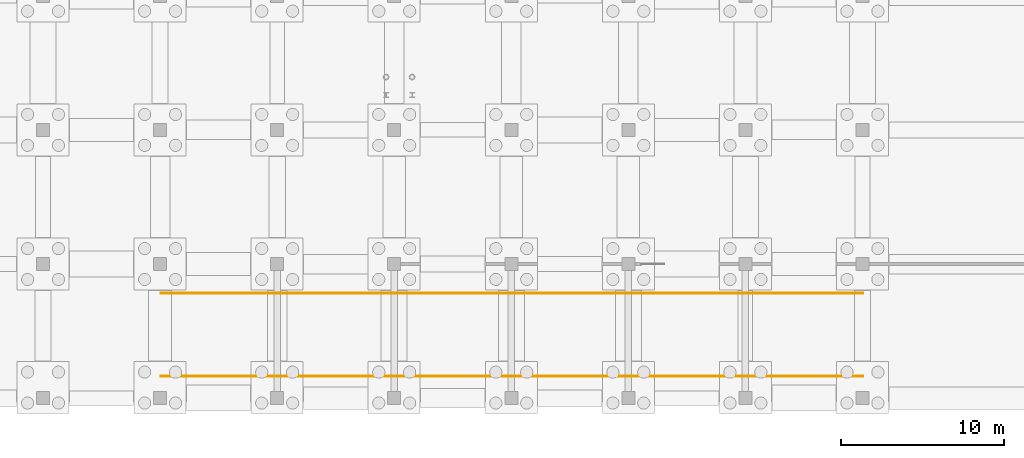
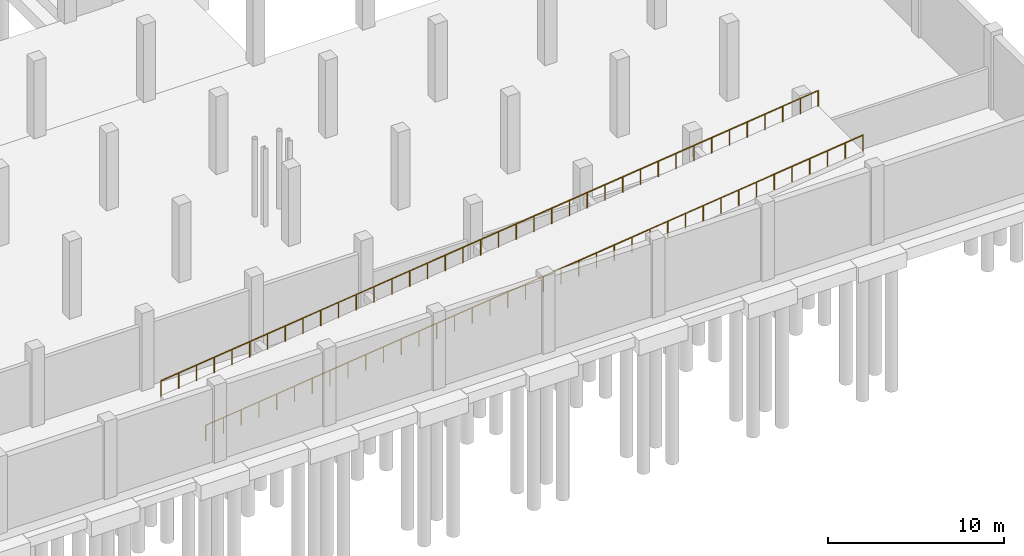
# One storey, part 40 of 42: 2 railings.
"""IFC4 building model written with IfcOpenShell, lengths in metres."""

from ifc_helpers import new_model, si_unit, direction, frame, origin, origin_2d, place, context, subcontext, project, spatial, circle, extrude, material, type_object, element, save


model = new_model("IFC4")

# Units and contexts
model_context = context("Model", 3, precision=1e-05, world=origin(), true_north=direction((0.0, 1.0)))
body_context = subcontext(model_context, "Body", "Model", "MODEL_VIEW")
ifc_project = project(units=[si_unit("LENGTHUNIT", "METRE"), si_unit("AREAUNIT", "SQUARE_METRE"), si_unit("VOLUMEUNIT", "CUBIC_METRE"), si_unit("PLANEANGLEUNIT", "RADIAN"), si_unit("MASSUNIT", "GRAM", prefix="KILO")], contexts=[model_context])

# Site, building, storey
site_placement = place(None, origin())
site = spatial("IfcSite", under=ifc_project, at=site_placement, CompositionType="ELEMENT")
building_placement = place(site_placement, origin())
building = spatial("IfcBuilding", under=site, at=building_placement, Name="Sundgate Opera House", CompositionType="ELEMENT")
storey_placement = place(building_placement, frame((0.0, 0.0, -5.39990234375)))
storey = spatial("IfcBuildingStorey", under=building, at=storey_placement, Name="B01", CompositionType="ELEMENT", Elevation=-5.39990234375)

# Railings
ifc_material = material(Name="Painted steel S275 guardrail", Category="steel")
railing_type = type_object("IfcRailingType", Name="RL-STAIR-GUARD-1100", PredefinedType="GUARDRAIL", material=ifc_material)
railing_1_placement = place(storey_placement, frame((124.25, 1.35009765625, 0.35986328125)))
element("IfcRailing", 1, at=railing_1_placement, inside=storey, type_object=railing_type, Name="B01 Interior Guardrail RL0286", PredefinedType="GUARDRAIL", context=body_context, shape_type="SweptSolid", body=[
    extrude(circle(Radius=0.02392578125, at=origin_2d()), frame((0.0, 0.0, 1.076171875), z_axis=(0.993259929033, 0.0, 0.115908210999), x_axis=(0.0, 1.0, 0.0)), (0.0, 0.0, 1.0), 43.48291015625),
    extrude(circle(Radius=0.02099609375, at=origin_2d()), origin(), (0.0, 0.0, 1.0), 1.052001953125),
    extrude(circle(Radius=0.02099609375, at=origin_2d()), frame((1.167236328125, 0.0, 0.13623046875)), (0.0, 0.0, 1.0), 1.052001953125),
    extrude(circle(Radius=0.02099609375, at=origin_2d()), frame((2.33447265625, 0.0, 0.2724609375)), (0.0, 0.0, 1.0), 1.052001953125),
    extrude(circle(Radius=0.02099609375, at=origin_2d()), frame((3.501953125, 0.0, 0.40869140625)), (0.0, 0.0, 1.0), 1.052001953125),
    extrude(circle(Radius=0.02099609375, at=origin_2d()), frame((4.669189453125, 0.0, 0.544921875)), (0.0, 0.0, 1.0), 1.052001953125),
    extrude(circle(Radius=0.02099609375, at=origin_2d()), frame((5.83642578125, 0.0, 0.68115234375)), (0.0, 0.0, 1.0), 1.052001953125),
    extrude(circle(Radius=0.02099609375, at=origin_2d()), frame((7.003662109375, 0.0, 0.8173828125)), (0.0, 0.0, 1.0), 1.052001953125),
    extrude(circle(Radius=0.02099609375, at=origin_2d()), frame((8.171142578125, 0.0, 0.95361328125)), (0.0, 0.0, 1.0), 1.052001953125),
    extrude(circle(Radius=0.02099609375, at=origin_2d()), frame((9.33837890625, 0.0, 1.08984375)), (0.0, 0.0, 1.0), 1.052001953125),
    extrude(circle(Radius=0.02099609375, at=origin_2d()), frame((10.505615234375, 0.0, 1.22607421875)), (0.0, 0.0, 1.0), 1.052001953125),
    extrude(circle(Radius=0.02099609375, at=origin_2d()), frame((11.6728515625, 0.0, 1.362060546875)), (0.0, 0.0, 1.0), 1.052001953125),
    extrude(circle(Radius=0.02099609375, at=origin_2d()), frame((12.84033203125, 0.0, 1.498291015625)), (0.0, 0.0, 1.0), 1.052001953125),
    extrude(circle(Radius=0.02099609375, at=origin_2d()), frame((14.007568359375, 0.0, 1.634521484375)), (0.0, 0.0, 1.0), 1.052001953125),
    extrude(circle(Radius=0.02099609375, at=origin_2d()), frame((15.1748046875, 0.0, 1.770751953125)), (0.0, 0.0, 1.0), 1.052001953125),
    extrude(circle(Radius=0.02099609375, at=origin_2d()), frame((16.342041015625, 0.0, 1.906982421875)), (0.0, 0.0, 1.0), 1.052001953125),
    extrude(circle(Radius=0.02099609375, at=origin_2d()), frame((17.509521484375, 0.0, 2.043212890625)), (0.0, 0.0, 1.0), 1.052001953125),
    extrude(circle(Radius=0.02099609375, at=origin_2d()), frame((18.6767578125, 0.0, 2.179443359375)), (0.0, 0.0, 1.0), 1.052001953125),
    extrude(circle(Radius=0.02099609375, at=origin_2d()), frame((19.843994140625, 0.0, 2.315673828125)), (0.0, 0.0, 1.0), 1.052001953125),
    extrude(circle(Radius=0.02099609375, at=origin_2d()), frame((21.01123046875, 0.0, 2.451904296875)), (0.0, 0.0, 1.0), 1.052001953125),
    extrude(circle(Radius=0.02099609375, at=origin_2d()), frame((22.1787109375, 0.0, 2.588134765625)), (0.0, 0.0, 1.0), 1.052001953125),
    extrude(circle(Radius=0.02099609375, at=origin_2d()), frame((23.345947265625, 0.0, 2.724365234375)), (0.0, 0.0, 1.0), 1.052001953125),
    extrude(circle(Radius=0.02099609375, at=origin_2d()), frame((24.51318359375, 0.0, 2.860595703125)), (0.0, 0.0, 1.0), 1.052001953125),
    extrude(circle(Radius=0.02099609375, at=origin_2d()), frame((25.680419921875, 0.0, 2.996826171875)), (0.0, 0.0, 1.0), 1.052001953125),
    extrude(circle(Radius=0.02099609375, at=origin_2d()), frame((26.847900390625, 0.0, 3.133056640625)), (0.0, 0.0, 1.0), 1.052001953125),
    extrude(circle(Radius=0.02099609375, at=origin_2d()), frame((28.01513671875, 0.0, 3.269287109375)), (0.0, 0.0, 1.0), 1.052001953125),
    extrude(circle(Radius=0.02099609375, at=origin_2d()), frame((29.182373046875, 0.0, 3.405517578125)), (0.0, 0.0, 1.0), 1.052001953125),
    extrude(circle(Radius=0.02099609375, at=origin_2d()), frame((30.349609375, 0.0, 3.541748046875)), (0.0, 0.0, 1.0), 1.052001953125),
    extrude(circle(Radius=0.02099609375, at=origin_2d()), frame((31.51708984375, 0.0, 3.677978515625)), (0.0, 0.0, 1.0), 1.052001953125),
    extrude(circle(Radius=0.02099609375, at=origin_2d()), frame((32.684326171875, 0.0, 3.81396484375)), (0.0, 0.0, 1.0), 1.052001953125),
    extrude(circle(Radius=0.02099609375, at=origin_2d()), frame((33.8515625, 0.0, 3.9501953125)), (0.0, 0.0, 1.0), 1.052001953125),
    extrude(circle(Radius=0.02099609375, at=origin_2d()), frame((35.018798828125, 0.0, 4.08642578125)), (0.0, 0.0, 1.0), 1.052001953125),
    extrude(circle(Radius=0.02099609375, at=origin_2d()), frame((36.186279296875, 0.0, 4.22265625)), (0.0, 0.0, 1.0), 1.052001953125),
    extrude(circle(Radius=0.02099609375, at=origin_2d()), frame((37.353515625, 0.0, 4.35888671875)), (0.0, 0.0, 1.0), 1.052001953125),
    extrude(circle(Radius=0.02099609375, at=origin_2d()), frame((38.520751953125, 0.0, 4.4951171875)), (0.0, 0.0, 1.0), 1.052001953125),
    extrude(circle(Radius=0.02099609375, at=origin_2d()), frame((39.68798828125, 0.0, 4.63134765625)), (0.0, 0.0, 1.0), 1.052001953125),
    extrude(circle(Radius=0.02099609375, at=origin_2d()), frame((40.85546875, 0.0, 4.767578125)), (0.0, 0.0, 1.0), 1.052001953125),
    extrude(circle(Radius=0.02099609375, at=origin_2d()), frame((42.022705078125, 0.0, 4.90380859375)), (0.0, 0.0, 1.0), 1.052001953125),
    extrude(circle(Radius=0.02099609375, at=origin_2d()), frame((43.18994140625, 0.0, 5.0400390625)), (0.0, 0.0, 1.0), 1.052001953125),
])
railing_2_placement = place(storey_placement, frame((124.25, 6.449951171875, 0.35986328125)))
element("IfcRailing", 2, at=railing_2_placement, inside=storey, type_object=railing_type, Name="B01 Interior Guardrail RL0287", PredefinedType="GUARDRAIL", context=body_context, shape_type="SweptSolid", body=[
    extrude(circle(Radius=0.02392578125, at=origin_2d()), frame((0.0, 0.0, 1.076171875), z_axis=(0.993259929033, 0.0, 0.115908210999), x_axis=(0.0, 1.0, 0.0)), (0.0, 0.0, 1.0), 43.48291015625),
    extrude(circle(Radius=0.02099609375, at=origin_2d()), origin(), (0.0, 0.0, 1.0), 1.052001953125),
    extrude(circle(Radius=0.02099609375, at=origin_2d()), frame((1.167236328125, 0.0, 0.13623046875)), (0.0, 0.0, 1.0), 1.052001953125),
    extrude(circle(Radius=0.02099609375, at=origin_2d()), frame((2.33447265625, 0.0, 0.2724609375)), (0.0, 0.0, 1.0), 1.052001953125),
    extrude(circle(Radius=0.02099609375, at=origin_2d()), frame((3.501953125, 0.0, 0.40869140625)), (0.0, 0.0, 1.0), 1.052001953125),
    extrude(circle(Radius=0.02099609375, at=origin_2d()), frame((4.669189453125, 0.0, 0.544921875)), (0.0, 0.0, 1.0), 1.052001953125),
    extrude(circle(Radius=0.02099609375, at=origin_2d()), frame((5.83642578125, 0.0, 0.68115234375)), (0.0, 0.0, 1.0), 1.052001953125),
    extrude(circle(Radius=0.02099609375, at=origin_2d()), frame((7.003662109375, 0.0, 0.8173828125)), (0.0, 0.0, 1.0), 1.052001953125),
    extrude(circle(Radius=0.02099609375, at=origin_2d()), frame((8.171142578125, 0.0, 0.95361328125)), (0.0, 0.0, 1.0), 1.052001953125),
    extrude(circle(Radius=0.02099609375, at=origin_2d()), frame((9.33837890625, 0.0, 1.08984375)), (0.0, 0.0, 1.0), 1.052001953125),
    extrude(circle(Radius=0.02099609375, at=origin_2d()), frame((10.505615234375, 0.0, 1.22607421875)), (0.0, 0.0, 1.0), 1.052001953125),
    extrude(circle(Radius=0.02099609375, at=origin_2d()), frame((11.6728515625, 0.0, 1.362060546875)), (0.0, 0.0, 1.0), 1.052001953125),
    extrude(circle(Radius=0.02099609375, at=origin_2d()), frame((12.84033203125, 0.0, 1.498291015625)), (0.0, 0.0, 1.0), 1.052001953125),
    extrude(circle(Radius=0.02099609375, at=origin_2d()), frame((14.007568359375, 0.0, 1.634521484375)), (0.0, 0.0, 1.0), 1.052001953125),
    extrude(circle(Radius=0.02099609375, at=origin_2d()), frame((15.1748046875, 0.0, 1.770751953125)), (0.0, 0.0, 1.0), 1.052001953125),
    extrude(circle(Radius=0.02099609375, at=origin_2d()), frame((16.342041015625, 0.0, 1.906982421875)), (0.0, 0.0, 1.0), 1.052001953125),
    extrude(circle(Radius=0.02099609375, at=origin_2d()), frame((17.509521484375, 0.0, 2.043212890625)), (0.0, 0.0, 1.0), 1.052001953125),
    extrude(circle(Radius=0.02099609375, at=origin_2d()), frame((18.6767578125, 0.0, 2.179443359375)), (0.0, 0.0, 1.0), 1.052001953125),
    extrude(circle(Radius=0.02099609375, at=origin_2d()), frame((19.843994140625, 0.0, 2.315673828125)), (0.0, 0.0, 1.0), 1.052001953125),
    extrude(circle(Radius=0.02099609375, at=origin_2d()), frame((21.01123046875, 0.0, 2.451904296875)), (0.0, 0.0, 1.0), 1.052001953125),
    extrude(circle(Radius=0.02099609375, at=origin_2d()), frame((22.1787109375, 0.0, 2.588134765625)), (0.0, 0.0, 1.0), 1.052001953125),
    extrude(circle(Radius=0.02099609375, at=origin_2d()), frame((23.345947265625, 0.0, 2.724365234375)), (0.0, 0.0, 1.0), 1.052001953125),
    extrude(circle(Radius=0.02099609375, at=origin_2d()), frame((24.51318359375, 0.0, 2.860595703125)), (0.0, 0.0, 1.0), 1.052001953125),
    extrude(circle(Radius=0.02099609375, at=origin_2d()), frame((25.680419921875, 0.0, 2.996826171875)), (0.0, 0.0, 1.0), 1.052001953125),
    extrude(circle(Radius=0.02099609375, at=origin_2d()), frame((26.847900390625, 0.0, 3.133056640625)), (0.0, 0.0, 1.0), 1.052001953125),
    extrude(circle(Radius=0.02099609375, at=origin_2d()), frame((28.01513671875, 0.0, 3.269287109375)), (0.0, 0.0, 1.0), 1.052001953125),
    extrude(circle(Radius=0.02099609375, at=origin_2d()), frame((29.182373046875, 0.0, 3.405517578125)), (0.0, 0.0, 1.0), 1.052001953125),
    extrude(circle(Radius=0.02099609375, at=origin_2d()), frame((30.349609375, 0.0, 3.541748046875)), (0.0, 0.0, 1.0), 1.052001953125),
    extrude(circle(Radius=0.02099609375, at=origin_2d()), frame((31.51708984375, 0.0, 3.677978515625)), (0.0, 0.0, 1.0), 1.052001953125),
    extrude(circle(Radius=0.02099609375, at=origin_2d()), frame((32.684326171875, 0.0, 3.81396484375)), (0.0, 0.0, 1.0), 1.052001953125),
    extrude(circle(Radius=0.02099609375, at=origin_2d()), frame((33.8515625, 0.0, 3.9501953125)), (0.0, 0.0, 1.0), 1.052001953125),
    extrude(circle(Radius=0.02099609375, at=origin_2d()), frame((35.018798828125, 0.0, 4.08642578125)), (0.0, 0.0, 1.0), 1.052001953125),
    extrude(circle(Radius=0.02099609375, at=origin_2d()), frame((36.186279296875, 0.0, 4.22265625)), (0.0, 0.0, 1.0), 1.052001953125),
    extrude(circle(Radius=0.02099609375, at=origin_2d()), frame((37.353515625, 0.0, 4.35888671875)), (0.0, 0.0, 1.0), 1.052001953125),
    extrude(circle(Radius=0.02099609375, at=origin_2d()), frame((38.520751953125, 0.0, 4.4951171875)), (0.0, 0.0, 1.0), 1.052001953125),
    extrude(circle(Radius=0.02099609375, at=origin_2d()), frame((39.68798828125, 0.0, 4.63134765625)), (0.0, 0.0, 1.0), 1.052001953125),
    extrude(circle(Radius=0.02099609375, at=origin_2d()), frame((40.85546875, 0.0, 4.767578125)), (0.0, 0.0, 1.0), 1.052001953125),
    extrude(circle(Radius=0.02099609375, at=origin_2d()), frame((42.022705078125, 0.0, 4.90380859375)), (0.0, 0.0, 1.0), 1.052001953125),
    extrude(circle(Radius=0.02099609375, at=origin_2d()), frame((43.18994140625, 0.0, 5.0400390625)), (0.0, 0.0, 1.0), 1.052001953125),
])

save(model, "model.ifc")
